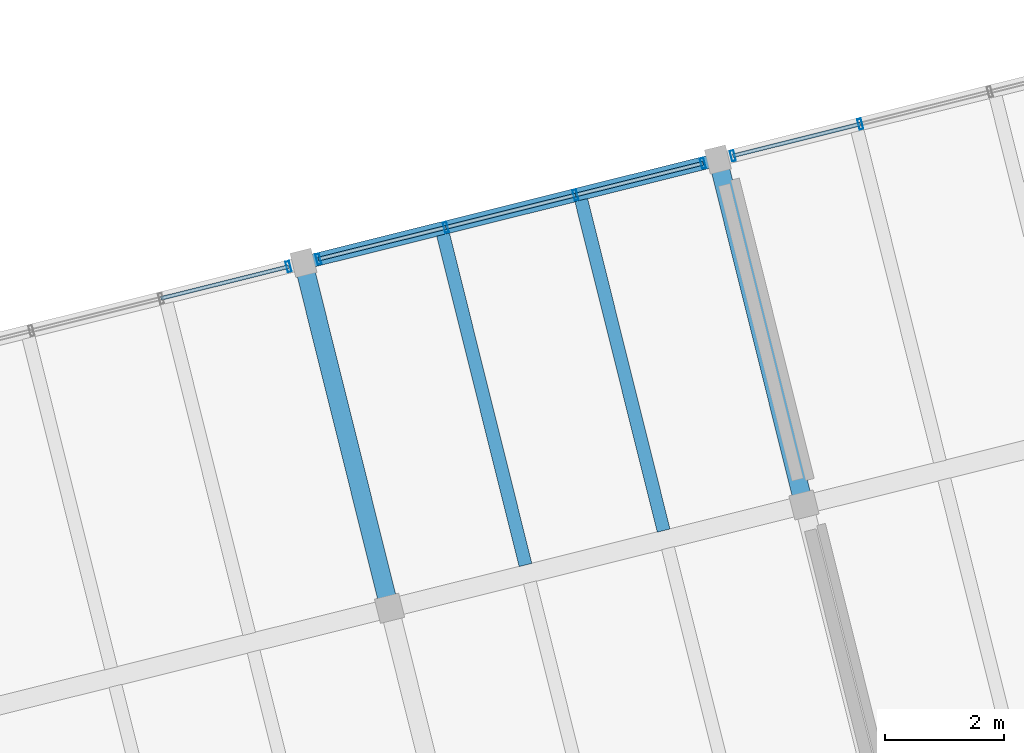
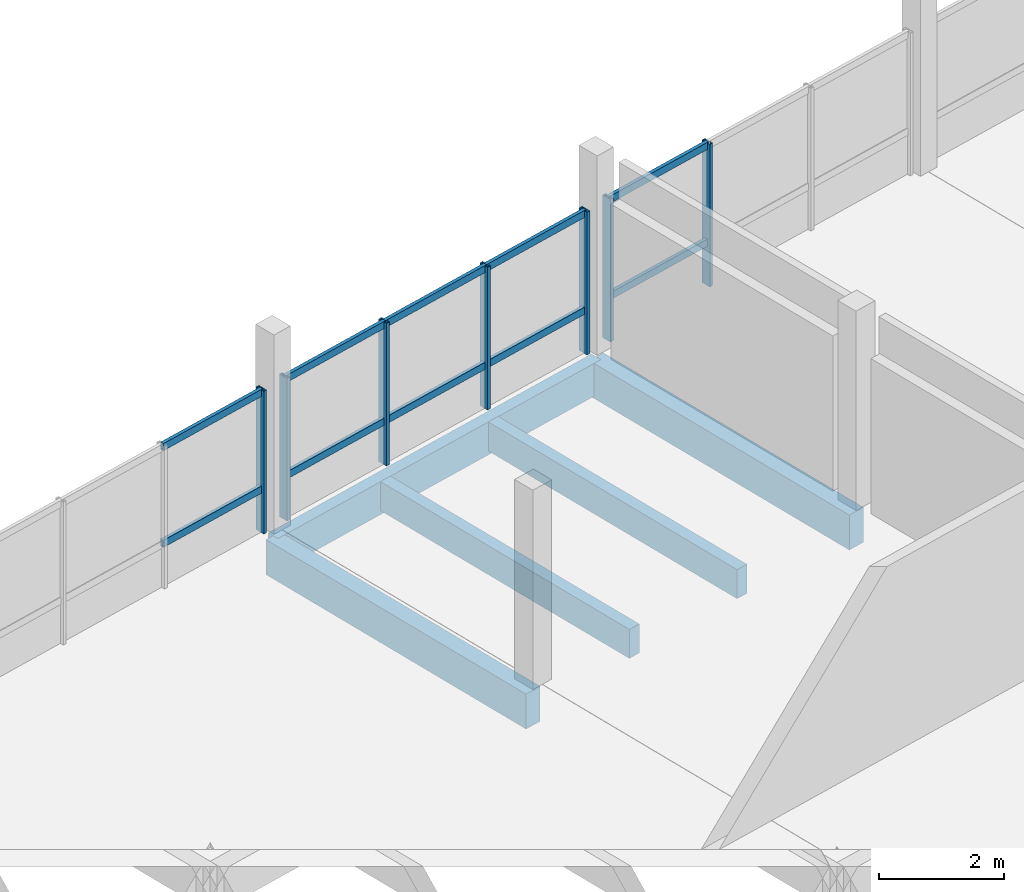
# One storey, part 18 of 28: 17 members, 5 beams, 3 elements without a shape of their own.
"""IFC4 building model written with IfcOpenShell, lengths in metres."""

from ifc_helpers import new_model, si_unit, direction, frame, origin, origin_2d, place, context, subcontext, project, spatial, rectangle, hollow_rectangle, extrude, material, layer, layer_set, material_profile, profile_set, type_object, element, aggregate, save


model = new_model("IFC4")

# Units and contexts
model_context = context("Model", 3, precision=1e-05, world=origin(), true_north=direction((0.0, 1.0)))
body_context = subcontext(model_context, "Body", "Model", "MODEL_VIEW")
ifc_project = project(units=[si_unit("LENGTHUNIT", "METRE"), si_unit("AREAUNIT", "SQUARE_METRE"), si_unit("VOLUMEUNIT", "CUBIC_METRE"), si_unit("PLANEANGLEUNIT", "RADIAN"), si_unit("MASSUNIT", "GRAM", prefix="KILO")], contexts=[model_context])

# Site, building, storey
site_placement = place(None, origin())
site = spatial("IfcSite", under=ifc_project, at=site_placement, CompositionType="ELEMENT")
building_placement = place(site_placement, origin())
building = spatial("IfcBuilding", under=site, at=building_placement, Name="Meriwether Solvik Hall", CompositionType="ELEMENT")
storey_placement = place(building_placement, frame((0.0, 0.0, 30.0)))
storey = spatial("IfcBuildingStorey", under=building, at=storey_placement, Name="L07", CompositionType="ELEMENT", Elevation=30.0)

# Beams
ifc_material_1 = material(Name="Glulam Douglas-Fir 24F-V8 GL28h", Category="wood")
ifc_material_profile_1 = material_profile(ifc_material_1, rectangle(XDim=0.221923828125, YDim=0.64501953125, at=origin_2d()), Name="GLB-222X645")
ifc_profile_set_1 = profile_set([ifc_material_profile_1], Name="Glulam Douglas-Fir 24F-V8 GL28h")
beam_type_1 = type_object("IfcBeamType", Name="BM-GL-222X645", PredefinedType="SPANDREL", material=ifc_profile_set_1)
beam_placement = place(storey_placement, frame((74.735107421875, 77.7705078125, -0.54248046875), z_axis=(0.970291911955, 0.241937193493, 0.0), x_axis=(-0.241937193493, 0.970291911955, 0.0)))
element("IfcBeam", 1, at=beam_placement, inside=storey, type_object=beam_type_1, Name="Tower Girder TF:T3-T4 (L07)", PredefinedType="SPANDREL", context=body_context, shape_type="SweptSolid", body=[
    extrude(rectangle(XDim=0.221923828125, YDim=0.64501953125, at=origin_2d()), origin(), (0.0, 0.0, 1.0), 7.199951171875),
])
ifc_material_2 = material(Name="Glulam Douglas-Fir 24F-V8 GL28h", Category="wood")
ifc_material_profile_2 = material_profile(ifc_material_2, rectangle(XDim=0.31494140625, YDim=0.68505859375, at=origin_2d()), Name="GLB-315X685")
ifc_profile_set_2 = profile_set([ifc_material_profile_2], Name="Glulam Douglas-Fir 24F-V8 GL28h")
beam_type_2 = type_object("IfcBeamType", Name="BM-GL-315X685", PredefinedType="BEAM", material=ifc_profile_set_2)
for number, where, z_axis, x_axis, name in (
    (2, (76.1865234375, 71.94873046875, -0.5625), (-0.241903677572, 0.970300268359, 0.0), (-0.970300268359, -0.241903677572, 0.0), "Tower Girder T3:TE-TF (L07)"),
    (3, (83.172607421875, 73.690673828125, -0.5625), (-0.241903677572, 0.970300268359, 0.0), (-0.970300268359, -0.241903677572, 0.0), "Tower Girder T4:TE-TF (L07)"),
):
    element("IfcBeam", number, at=place(storey_placement, frame(where, z_axis=z_axis, x_axis=x_axis)), inside=storey, type_object=beam_type_2, Name=name, PredefinedType="BEAM", context=body_context, shape_type="SweptSolid", body=[
        extrude(rectangle(XDim=0.31494140625, YDim=0.68505859375, at=origin_2d()), origin(), (0.0, 0.0, 1.0), 6.0),
    ])

# Curtain wall, member
ifc_material_3 = material(Name="Thermally Broken Anodised Aluminium 6063-T6 and Low-E Glass", Category="aluminium")
ifc_layer_1 = layer(ifc_material_3, 0.179931640625)
ifc_layer_set_1 = layer_set([ifc_layer_1], Name="Thermally Broken Anodised Aluminium 6063-T6 and Low-E Glass")
curtain_wall_type_1 = type_object("IfcCurtainWallType", Name="CW-UNIT-C", PredefinedType="USERDEFINED", material=ifc_layer_set_1)
curtain_wall_1_placement = place(storey_placement, origin())
curtain_wall_1 = element("IfcCurtainWall", 4, at=curtain_wall_1_placement, inside=storey, type_object=curtain_wall_type_1, Name="Curtain Wall E4_B1 (L07)", ObjectType="UNITISED CURTAIN WALL", PredefinedType="USERDEFINED")
ifc_material_4 = material(Name="Anodised Aluminium 6063-T6", Category="aluminium")
ifc_material_profile_3 = material_profile(ifc_material_4, hollow_rectangle(XDim=0.06494140625, YDim=0.179931640625, WallThickness=0.00439453125, at=origin_2d()), Name="CWM-65X180")
ifc_profile_set_3 = profile_set([ifc_material_profile_3], Name="Anodised Aluminium 6063-T6")
member_type_1 = type_object("IfcMemberType", Name="CW-MUL-65X180", PredefinedType="MULLION", material=ifc_profile_set_3)
member_1_placement = place(storey_placement, frame((74.482666015625, 77.70751953125, 0.0), z_axis=(0.0, 0.0, 1.0), x_axis=(0.970295738259, 0.241921847539, 0.0)))
member_1 = element("IfcMember", 5, at=member_1_placement, type_object=member_type_1, Name="Curtain Wall Mullion 4", PredefinedType="MULLION", context=body_context, shape_type="SweptSolid", body=[
    extrude(hollow_rectangle(XDim=0.06494140625, YDim=0.179931640625, WallThickness=0.00439453125, at=origin_2d()), origin(), (0.0, 0.0, 1.0), 2.7900390625),
])

# Curtain wall, members
ifc_material_5 = material(Name="Thermally Broken Anodised Aluminium 6063-T6 and Low-E Glass", Category="aluminium")
ifc_layer_2 = layer(ifc_material_5, 0.179931640625)
ifc_layer_set_2 = layer_set([ifc_layer_2], Name="Thermally Broken Anodised Aluminium 6063-T6 and Low-E Glass")
curtain_wall_type_2 = type_object("IfcCurtainWallType", Name="CW-UNIT-D", PredefinedType="USERDEFINED", material=ifc_layer_set_2)
curtain_wall_2_placement = place(storey_placement, origin())
curtain_wall_2 = element("IfcCurtainWall", 6, at=curtain_wall_2_placement, inside=storey, type_object=curtain_wall_type_2, Name="Curtain Wall E4_B2 (L07)", ObjectType="UNITISED CURTAIN WALL", PredefinedType="USERDEFINED")
member_2_placement = place(storey_placement, frame((74.9873046875, 77.83349609375, 0.0), z_axis=(0.0, 0.0, 1.0), x_axis=(0.970295703518, 0.241921986879, 0.0)))
member_2 = element("IfcMember", 7, at=member_2_placement, type_object=member_type_1, Name="Curtain Wall Mullion 1", PredefinedType="MULLION", context=body_context, shape_type="SweptSolid", body=[
    extrude(hollow_rectangle(XDim=0.06494140625, YDim=0.179931640625, WallThickness=0.00439453125, at=origin_2d()), origin(), (0.0, 0.0, 1.0), 2.7900390625),
])
member_3_placement = place(storey_placement, frame((77.135498046875, 78.368896484375, 0.0), z_axis=(0.0, 0.0, 1.0), x_axis=(0.970295703518, 0.241921986879, 0.0)))
member_3 = element("IfcMember", 8, at=member_3_placement, type_object=member_type_1, Name="Curtain Wall Mullion 2", PredefinedType="MULLION", context=body_context, shape_type="SweptSolid", body=[
    extrude(hollow_rectangle(XDim=0.06494140625, YDim=0.179931640625, WallThickness=0.00439453125, at=origin_2d()), origin(), (0.0, 0.0, 1.0), 2.7900390625),
])
member_4_placement = place(storey_placement, frame((79.320556640625, 78.913818359375, 0.0), z_axis=(0.0, 0.0, 1.0), x_axis=(0.970295703518, 0.241921986879, 0.0)))
member_4 = element("IfcMember", 9, at=member_4_placement, type_object=member_type_1, Name="Curtain Wall Mullion 3", PredefinedType="MULLION", context=body_context, shape_type="SweptSolid", body=[
    extrude(hollow_rectangle(XDim=0.06494140625, YDim=0.179931640625, WallThickness=0.00439453125, at=origin_2d()), origin(), (0.0, 0.0, 1.0), 2.7900390625),
])
member_5_placement = place(storey_placement, frame((81.468994140625, 79.449462890625, 0.0), z_axis=(0.0, 0.0, 1.0), x_axis=(0.970295703518, 0.241921986879, 0.0)))
member_5 = element("IfcMember", 10, at=member_5_placement, type_object=member_type_1, Name="Curtain Wall Mullion 4", PredefinedType="MULLION", context=body_context, shape_type="SweptSolid", body=[
    extrude(hollow_rectangle(XDim=0.06494140625, YDim=0.179931640625, WallThickness=0.00439453125, at=origin_2d()), origin(), (0.0, 0.0, 1.0), 2.7900390625),
])

ifc_material_6 = material(Name="Thermally Broken Anodised Aluminium 6063-T6 and Low-E Glass", Category="aluminium")
ifc_layer_3 = layer(ifc_material_6, 0.179931640625)
ifc_layer_set_3 = layer_set([ifc_layer_3], Name="Thermally Broken Anodised Aluminium 6063-T6 and Low-E Glass")
curtain_wall_type_3 = type_object("IfcCurtainWallType", Name="CW-UNIT-E", PredefinedType="USERDEFINED", material=ifc_layer_set_3)
curtain_wall_3_placement = place(storey_placement, origin())
curtain_wall_3 = element("IfcCurtainWall", 11, at=curtain_wall_3_placement, inside=storey, type_object=curtain_wall_type_3, Name="Curtain Wall E4_B3 (L07)", ObjectType="UNITISED CURTAIN WALL", PredefinedType="USERDEFINED")
member_6_placement = place(storey_placement, frame((81.973388671875, 79.5751953125, 0.0), z_axis=(0.0, 0.0, 1.0), x_axis=(0.970295738259, 0.241921847539, 0.0)))
member_6 = element("IfcMember", 12, at=member_6_placement, type_object=member_type_1, Name="Curtain Wall Mullion 1", PredefinedType="MULLION", context=body_context, shape_type="SweptSolid", body=[
    extrude(hollow_rectangle(XDim=0.06494140625, YDim=0.179931640625, WallThickness=0.00439453125, at=origin_2d()), origin(), (0.0, 0.0, 1.0), 2.7900390625),
])
member_7_placement = place(storey_placement, frame((84.12158203125, 80.11083984375, 0.0), z_axis=(0.0, 0.0, 1.0), x_axis=(0.970295738259, 0.241921847539, 0.0)))
member_7 = element("IfcMember", 13, at=member_7_placement, type_object=member_type_1, Name="Curtain Wall Mullion 2", PredefinedType="MULLION", context=body_context, shape_type="SweptSolid", body=[
    extrude(hollow_rectangle(XDim=0.06494140625, YDim=0.179931640625, WallThickness=0.00439453125, at=origin_2d()), origin(), (0.0, 0.0, 1.0), 2.7900390625),
])

# Member
ifc_material_7 = material(Name="Anodised Aluminium 6063-T6", Category="aluminium")
ifc_material_profile_4 = material_profile(ifc_material_7, hollow_rectangle(XDim=0.06494140625, YDim=0.139892578125, WallThickness=0.00439453125, at=origin_2d()), Name="CWT-65X140")
ifc_profile_set_4 = profile_set([ifc_material_profile_4], Name="Anodised Aluminium 6063-T6")
member_type_2 = type_object("IfcMemberType", Name="CW-TRN-65X140", PredefinedType="USERDEFINED", material=ifc_profile_set_4)
member_8_placement = place(storey_placement, frame((72.33447265625, 77.171875, 0.8369140625), z_axis=(0.970291509385, 0.241938808, 0.0), x_axis=(-0.241938808, 0.970291509385, 0.0)))
member_8 = element("IfcMember", 14, at=member_8_placement, type_object=member_type_2, Name="Curtain Wall Transom 3-sill", ObjectType="TRANSOM", PredefinedType="USERDEFINED", context=body_context, shape_type="SweptSolid", body=[
    extrude(hollow_rectangle(XDim=0.06494140625, YDim=0.139892578125, WallThickness=0.00439453125, at=origin_2d()), origin(), (0.0, 0.0, 1.0), 2.2138671875),
])

member_9_placement = place(storey_placement, frame((72.33447265625, 77.171875, 2.72998046875), z_axis=(0.970291509385, 0.241938808, 0.0), x_axis=(-0.241938808, 0.970291509385, 0.0)))
member_9 = element("IfcMember", 15, at=member_9_placement, type_object=member_type_2, Name="Curtain Wall Transom 3-head", ObjectType="TRANSOM", PredefinedType="USERDEFINED", context=body_context, shape_type="SweptSolid", body=[
    extrude(hollow_rectangle(XDim=0.06494140625, YDim=0.139892578125, WallThickness=0.00439453125, at=origin_2d()), origin(), (0.0, 0.0, 1.0), 2.2138671875),
])

aggregate(curtain_wall_1, [member_1, member_8, member_9])

member_10_placement = place(storey_placement, frame((74.9873046875, 77.83349609375, 0.8369140625), z_axis=(0.97031739122, 0.241834985674, 0.0), x_axis=(-0.241834985674, 0.97031739122, 0.0)))
member_10 = element("IfcMember", 16, at=member_10_placement, type_object=member_type_2, Name="Curtain Wall Transom 1-sill", ObjectType="TRANSOM", PredefinedType="USERDEFINED", context=body_context, shape_type="SweptSolid", body=[
    extrude(hollow_rectangle(XDim=0.06494140625, YDim=0.139892578125, WallThickness=0.00439453125, at=origin_2d()), origin(), (0.0, 0.0, 1.0), 2.2138671875),
])

member_11_placement = place(storey_placement, frame((74.9873046875, 77.83349609375, 2.72998046875), z_axis=(0.97031739122, 0.241834985674, 0.0), x_axis=(-0.241834985674, 0.97031739122, 0.0)))
member_11 = element("IfcMember", 17, at=member_11_placement, type_object=member_type_2, Name="Curtain Wall Transom 1-head", ObjectType="TRANSOM", PredefinedType="USERDEFINED", context=body_context, shape_type="SweptSolid", body=[
    extrude(hollow_rectangle(XDim=0.06494140625, YDim=0.139892578125, WallThickness=0.00439453125, at=origin_2d()), origin(), (0.0, 0.0, 1.0), 2.2138671875),
])

member_12_placement = place(storey_placement, frame((77.135498046875, 78.368896484375, 0.8369140625), z_axis=(0.970282635026, 0.241974395685, 0.0), x_axis=(-0.241974395685, 0.970282635026, 0.0)))
member_12 = element("IfcMember", 18, at=member_12_placement, type_object=member_type_2, Name="Curtain Wall Transom 2-sill", ObjectType="TRANSOM", PredefinedType="USERDEFINED", context=body_context, shape_type="SweptSolid", body=[
    extrude(hollow_rectangle(XDim=0.06494140625, YDim=0.139892578125, WallThickness=0.00439453125, at=origin_2d()), origin(), (0.0, 0.0, 1.0), 2.251953125),
])

member_13_placement = place(storey_placement, frame((77.135498046875, 78.368896484375, 2.72998046875), z_axis=(0.970282635026, 0.241974395685, 0.0), x_axis=(-0.241974395685, 0.970282635026, 0.0)))
member_13 = element("IfcMember", 19, at=member_13_placement, type_object=member_type_2, Name="Curtain Wall Transom 2-head", ObjectType="TRANSOM", PredefinedType="USERDEFINED", context=body_context, shape_type="SweptSolid", body=[
    extrude(hollow_rectangle(XDim=0.06494140625, YDim=0.139892578125, WallThickness=0.00439453125, at=origin_2d()), origin(), (0.0, 0.0, 1.0), 2.251953125),
])

member_14_placement = place(storey_placement, frame((79.320556640625, 78.913818359375, 0.8369140625), z_axis=(0.970297963107, 0.241912923984, 0.0), x_axis=(-0.241912923984, 0.970297963107, 0.0)))
member_14 = element("IfcMember", 20, at=member_14_placement, type_object=member_type_2, Name="Curtain Wall Transom 3-sill", ObjectType="TRANSOM", PredefinedType="USERDEFINED", context=body_context, shape_type="SweptSolid", body=[
    extrude(hollow_rectangle(XDim=0.06494140625, YDim=0.139892578125, WallThickness=0.00439453125, at=origin_2d()), origin(), (0.0, 0.0, 1.0), 2.214111328125),
])

member_15_placement = place(storey_placement, frame((79.320556640625, 78.913818359375, 2.72998046875), z_axis=(0.970297963107, 0.241912923984, 0.0), x_axis=(-0.241912923984, 0.970297963107, 0.0)))
member_15 = element("IfcMember", 21, at=member_15_placement, type_object=member_type_2, Name="Curtain Wall Transom 3-head", ObjectType="TRANSOM", PredefinedType="USERDEFINED", context=body_context, shape_type="SweptSolid", body=[
    extrude(hollow_rectangle(XDim=0.06494140625, YDim=0.139892578125, WallThickness=0.00439453125, at=origin_2d()), origin(), (0.0, 0.0, 1.0), 2.214111328125),
])

aggregate(curtain_wall_2, [member_2, member_3, member_4, member_5, member_10, member_11, member_12, member_13, member_14, member_15])

member_16_placement = place(storey_placement, frame((81.973388671875, 79.5751953125, 0.8369140625), z_axis=(0.970291509385, 0.241938808, 0.0), x_axis=(-0.241938808, 0.970291509385, 0.0)))
member_16 = element("IfcMember", 22, at=member_16_placement, type_object=member_type_2, Name="Curtain Wall Transom 1-sill", ObjectType="TRANSOM", PredefinedType="USERDEFINED", context=body_context, shape_type="SweptSolid", body=[
    extrude(hollow_rectangle(XDim=0.06494140625, YDim=0.139892578125, WallThickness=0.00439453125, at=origin_2d()), origin(), (0.0, 0.0, 1.0), 2.2138671875),
])

member_17_placement = place(storey_placement, frame((81.973388671875, 79.5751953125, 2.72998046875), z_axis=(0.970291509385, 0.241938808, 0.0), x_axis=(-0.241938808, 0.970291509385, 0.0)))
member_17 = element("IfcMember", 23, at=member_17_placement, type_object=member_type_2, Name="Curtain Wall Transom 1-head", ObjectType="TRANSOM", PredefinedType="USERDEFINED", context=body_context, shape_type="SweptSolid", body=[
    extrude(hollow_rectangle(XDim=0.06494140625, YDim=0.139892578125, WallThickness=0.00439453125, at=origin_2d()), origin(), (0.0, 0.0, 1.0), 2.2138671875),
])

aggregate(curtain_wall_3, [member_6, member_7, member_16, member_17])

# Beams
ifc_material_8 = material(Name="Glulam Douglas-Fir 24F-V8 GL28h", Category="wood")
ifc_material_profile_5 = material_profile(ifc_material_8, rectangle(XDim=0.221923828125, YDim=0.570068359375, at=origin_2d()), Name="GLJ-222X570")
ifc_profile_set_5 = profile_set([ifc_material_profile_5], Name="Glulam Douglas-Fir 24F-V8 GL28h")
beam_type_3 = type_object("IfcBeamType", Name="JST-GL-222X570", PredefinedType="JOIST", material=ifc_profile_set_5)
for number, where, z_axis, x_axis, name in (
    (24, (78.478271484375, 72.67724609375, -0.5048828125), (-0.241905253991, 0.970299875343, 0.0), (-0.970299875343, -0.241905253991, 0.0), "Glulam Floor Joist T3/TE-J1 (L07)"),
    (25, (80.80712890625, 73.2578125, -0.5048828125), (-0.241905253991, 0.970299875343, 0.0), (-0.970299875343, -0.241905253991, 0.0), "Glulam Floor Joist T3/TE-J2 (L07)"),
):
    element("IfcBeam", number, at=place(storey_placement, frame(where, z_axis=z_axis, x_axis=x_axis)), inside=storey, type_object=beam_type_3, Name=name, PredefinedType="JOIST", context=body_context, shape_type="SweptSolid", body=[
        extrude(rectangle(XDim=0.221923828125, YDim=0.570068359375, at=origin_2d()), origin(), (0.0, 0.0, 1.0), 5.741455078125),
    ])

save(model, "model.ifc")
